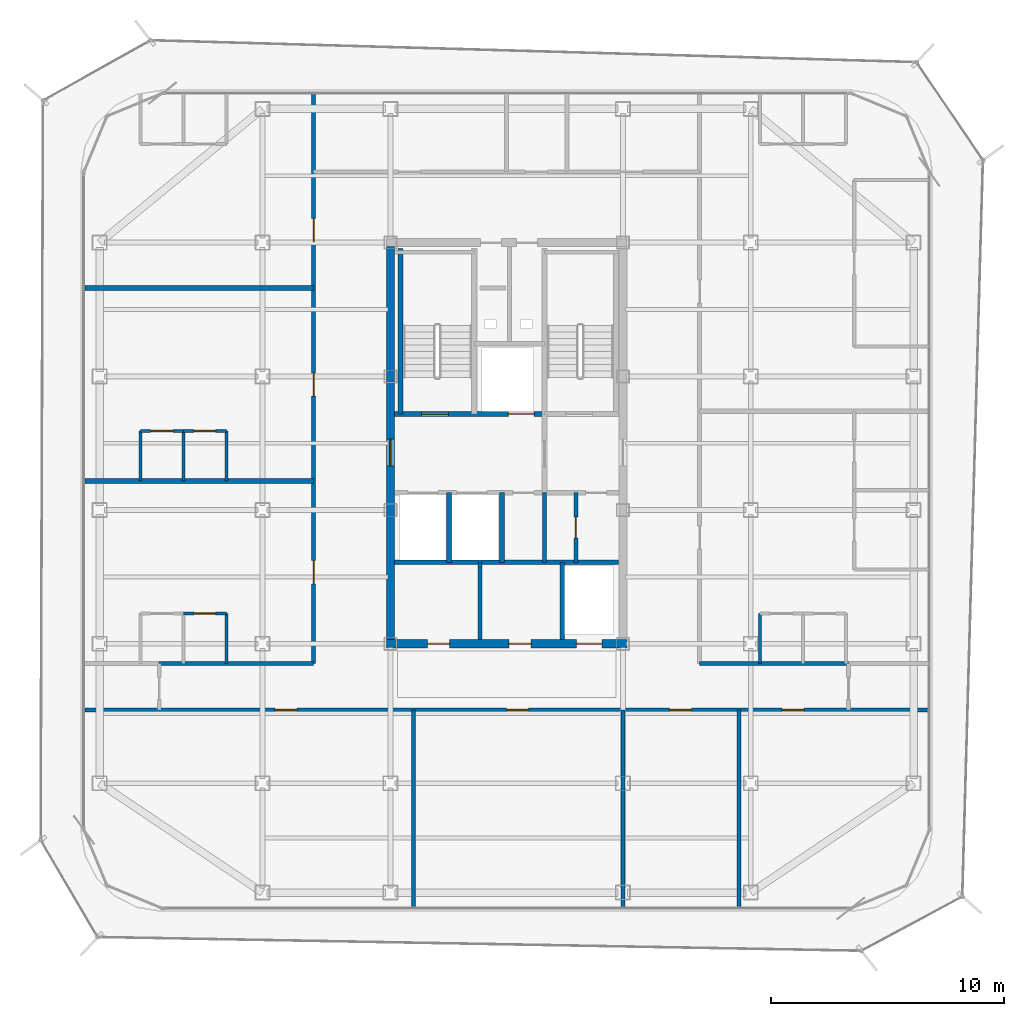
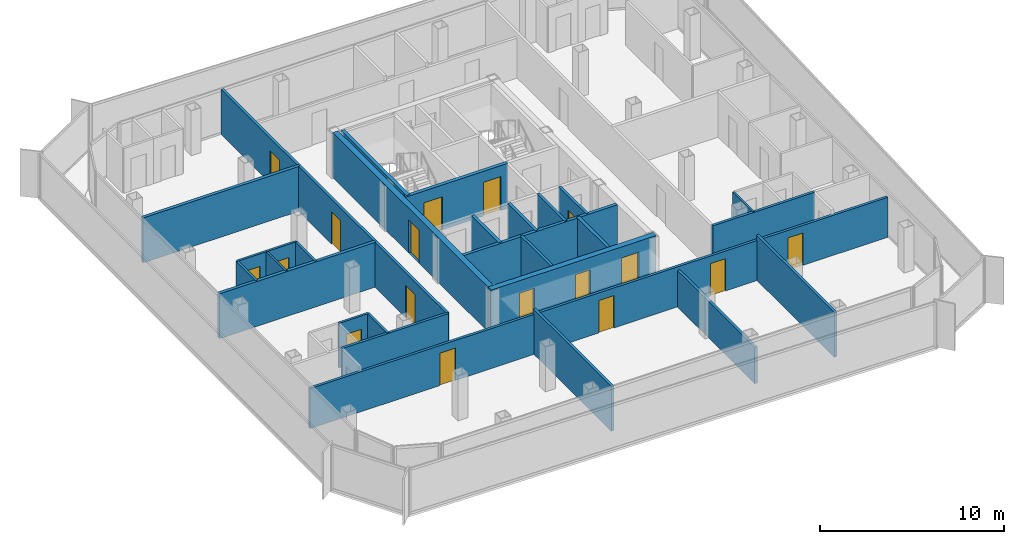
# One storey, part 10 of 14: 28 walls, 17 doors, 17 openings.
"""IFC4 building model written with IfcOpenShell, lengths in metres."""

import ifcopenshell
import ifcopenshell.guid

model = None  # the IFC model being written
_history = None  # IfcOwnerHistory: only IFC2X3 demands one
_inside = {}  # id of a spatial element -> (the spatial element, [elements in it])
_under = {}  # id of a project, library or spatial element -> (it, [spatial elements below it])
_declared = {}  # id of a project -> (the project, [libraries it declares])
_typed = {}  # id of a type object -> (the type object, [elements of that type])
_made_of = {}  # id of a material, layer set ... -> (it, [elements and type objects made of it])


def new_model(schema):
    """Start an empty IFC model of exactly this schema.

    Asked for "IFC4X3", IfcOpenShell would pick the latest addendum, in which some entities
    have other attributes; the version numbers below select the first issue.
    IFC2X3 requires an IfcOwnerHistory on every rooted entity: one is made here for all.
    """
    global model, _history
    if schema == "IFC4X3":
        model = ifcopenshell.file(schema_version=(4, 3, 0, 0))
    else:
        model = ifcopenshell.file(schema=schema)
    _inside.clear()
    _under.clear()
    _declared.clear()
    _typed.clear()
    _made_of.clear()
    _history = None
    if model.schema == "IFC2X3":
        org = make("IfcOrganization", Name="unknown")
        user = make(
            "IfcPersonAndOrganization",
            ThePerson=make("IfcPerson", FamilyName="unknown"),
            TheOrganization=org,
        )
        app = make(
            "IfcApplication",
            ApplicationDeveloper=org,
            Version="unknown",
            ApplicationFullName="unknown",
            ApplicationIdentifier="unknown",
        )
        _history = make(
            "IfcOwnerHistory",
            OwningUser=user,
            OwningApplication=app,
            ChangeAction="ADDED",
            CreationDate=0,
        )
    return model


def make(cls, **values):
    """One entity of the class cls with the attributes given. An attribute that is None is left unset."""
    return model.create_entity(
        cls, **{name: value for name, value in values.items() if value is not None}
    )


def rooted(cls, **values):
    """An entity with a GlobalId (a new one), such as an element, a storey or a relation."""
    return make(cls, GlobalId=ifcopenshell.guid.new(), OwnerHistory=_history, **values)


def si_unit(unit_type, name, prefix=None):
    """IfcSIUnit, for example si_unit("LENGTHUNIT", "METRE", prefix="MILLI")."""
    return make("IfcSIUnit", UnitType=unit_type, Prefix=prefix, Name=name)


def assignment(units):
    """IfcUnitAssignment: the units of a project."""
    return None if units is None else make("IfcUnitAssignment", Units=units)


def point(xyz):
    """IfcCartesianPoint."""
    return None if xyz is None else make("IfcCartesianPoint", Coordinates=xyz)


def direction(xyz):
    """IfcDirection."""
    return None if xyz is None else make("IfcDirection", DirectionRatios=xyz)


def frame(location, z_axis=None, x_axis=None):
    """IfcAxis2Placement3D, a coordinate frame: its origin and axes. An axis left out is left unset."""
    return make(
        "IfcAxis2Placement3D",
        Location=point(location),
        Axis=direction(z_axis),
        RefDirection=direction(x_axis),
    )


def frame_2d(location, x_axis=None):
    """IfcAxis2Placement2D, a coordinate frame in the plane: its origin and x axis."""
    return make(
        "IfcAxis2Placement2D", Location=point(location), RefDirection=direction(x_axis)
    )


def origin():
    """The frame at (0, 0, 0) with its axes left unset."""
    return frame((0.0, 0.0, 0.0))


def place(relative_to, where):
    """IfcLocalPlacement: puts the frame where relative to a parent placement (None: the world)."""
    return make(
        "IfcLocalPlacement", PlacementRelTo=relative_to, RelativePlacement=where
    )


def context(
    kind, dimensions, precision=None, world=None, true_north=None, identifier=None
):
    """IfcGeometricRepresentationContext, for example the 3D "Model" context."""
    return make(
        "IfcGeometricRepresentationContext",
        ContextIdentifier=identifier,
        ContextType=kind,
        CoordinateSpaceDimension=dimensions,
        Precision=precision,
        WorldCoordinateSystem=world,
        TrueNorth=true_north,
    )


def subcontext(parent, identifier, kind, view, scale=None):
    """IfcGeometricRepresentationSubContext, for example "Body" below "Model"."""
    return make(
        "IfcGeometricRepresentationSubContext",
        ContextIdentifier=identifier,
        ContextType=kind,
        ParentContext=parent,
        TargetScale=scale,
        TargetView=view,
    )


def project(units=None, contexts=None):
    """IfcProject with its units and contexts."""
    return rooted(
        "IfcProject",
        Name="project",
        RepresentationContexts=contexts,
        UnitsInContext=assignment(units),
    )


def spatial(cls, under=None, at=None, **own):
    """A site, building, storey or space (cls), placed at a placement, below another one or the project."""
    s = rooted(cls, ObjectPlacement=at, **own)
    if under is not None:
        _under.setdefault(under.id(), (under, []))[1].append(s)
    return s


def profile(cls, at=None, kind="AREA", **sizes):
    """A parametric profile (cls). Its sizes go by their IFC names, for example OverallWidth=200.0."""
    return make(cls, ProfileType=kind, Position=at, **sizes)


def rectangle(**sizes):
    """IfcRectangleProfileDef."""
    return profile("IfcRectangleProfileDef", **sizes)


def extrude(swept, where, along, depth):
    """IfcExtrudedAreaSolid: the profile swept, set in the frame where, extruded along a direction by depth."""
    return make(
        "IfcExtrudedAreaSolid",
        SweptArea=swept,
        Position=where,
        ExtrudedDirection=direction(along),
        Depth=depth,
    )


def shape(context_of_items, identifier, shape_type, items):
    """IfcShapeRepresentation: the items that make up one representation, for example the "Body"."""
    return make(
        "IfcShapeRepresentation",
        ContextOfItems=context_of_items,
        RepresentationIdentifier=identifier,
        RepresentationType=shape_type,
        Items=items,
    )


def material(Name=None, Category=None):
    """IfcMaterial."""
    return make("IfcMaterial", Name=Name, Category=Category)


def layer(
    of_material, thickness, ventilated=None, Name=None, Category=None, Priority=None
):
    """IfcMaterialLayer: one layer of a wall or slab, of a material (None: an air gap)."""
    return make(
        "IfcMaterialLayer",
        Material=of_material,
        LayerThickness=thickness,
        IsVentilated=ventilated,
        Name=Name,
        Category=Category,
        Priority=Priority,
    )


def layer_set(layers, Name=None):
    """IfcMaterialLayerSet."""
    return make("IfcMaterialLayerSet", MaterialLayers=layers, LayerSetName=Name)


def made_of(thing, what):
    """Note that an element or type object is made of a material, layer set ...; save() writes the relation."""
    if what is not None:
        _made_of.setdefault(what.id(), (what, []))[1].append(thing)
    return thing


def type_object(cls, material=None, **own):
    """A type object (cls), such as IfcWallType, which elements share."""
    return made_of(rooted(cls, **own), material)


def element(
    cls,
    number,
    at=None,
    inside=None,
    cuts=None,
    type_object=None,
    material=None,
    context=None,
    identifier="Body",
    shape_type=None,
    held_by="IfcProductDefinitionShape",
    body=None,
    shapes=None,
    **own,
):
    """One element of the class cls, such as IfcWall. Its Tag is "e" and its number.

    at: its placement. inside: the storey or other place that contains it. cuts: it is an
    opening in that element (IfcRelVoidsElement). A single representation is given by context,
    identifier, shape_type and body (its items); several are given by shapes. held_by: the class
    of the entity that holds the representations. save() writes the other relations.
    """
    e = rooted(cls, Tag="e%d" % number, ObjectPlacement=at, **own)
    if body is not None:
        shapes = [shape(context, identifier, shape_type, body)]
    if shapes is not None:
        e.Representation = make(held_by, Representations=shapes)
    if inside is not None:
        _inside.setdefault(inside.id(), (inside, []))[1].append(e)
    if cuts is not None:
        rooted(
            "IfcRelVoidsElement", RelatingBuildingElement=cuts, RelatedOpeningElement=e
        )
    if type_object is not None:
        _typed.setdefault(type_object.id(), (type_object, []))[1].append(e)
    return made_of(e, material)


def fill(opening, filler):
    """IfcRelFillsElement: the door or window that sits in an opening."""
    return rooted(
        "IfcRelFillsElement",
        RelatingOpeningElement=opening,
        RelatedBuildingElement=filler,
    )


def aggregate(whole, parts):
    """IfcRelAggregates: a whole, such as a stair, and the parts it consists of."""
    return rooted("IfcRelAggregates", RelatingObject=whole, RelatedObjects=parts)


def save(model, path):
    """Write the relations noted so far, then the file.

    IfcRelAggregates (storeys below a building ...), IfcRelContainedInSpatialStructure (elements
    in a storey), IfcRelDefinesByType, IfcRelAssociatesMaterial and IfcRelDeclares: one each for
    every whole, place, type object, material and project.
    """
    for whole, parts in _under.values():
        aggregate(whole, parts)
    for where, things in _inside.values():
        rooted(
            "IfcRelContainedInSpatialStructure",
            RelatedElements=things,
            RelatingStructure=where,
        )
    for kind, things in _typed.values():
        rooted("IfcRelDefinesByType", RelatedObjects=things, RelatingType=kind)
    for what, things in _made_of.values():
        rooted("IfcRelAssociatesMaterial", RelatedObjects=things, RelatingMaterial=what)
    for by, libraries in _declared.values():
        rooted("IfcRelDeclares", RelatingContext=by, RelatedDefinitions=libraries)
    model.write(path)


model = new_model("IFC4")

# Units and contexts
model_context = context("Model", 3, precision=1e-05, world=origin(), true_north=direction((0.0, 1.0)))
body_context = subcontext(model_context, "Body", "Model", "MODEL_VIEW")
ifc_project = project(units=[si_unit("LENGTHUNIT", "METRE"), si_unit("AREAUNIT", "SQUARE_METRE"), si_unit("VOLUMEUNIT", "CUBIC_METRE"), si_unit("PLANEANGLEUNIT", "RADIAN"), si_unit("MASSUNIT", "GRAM", prefix="KILO")], contexts=[model_context])

# Site, building, storey
site_placement = place(None, origin())
site = spatial("IfcSite", under=ifc_project, at=site_placement, CompositionType="ELEMENT")
building_placement = place(site_placement, origin())
building = spatial("IfcBuilding", under=site, at=building_placement, Name="Kolveth Station Tower", CompositionType="ELEMENT")
storey_placement = place(building_placement, frame((0.0, 0.0, 226.5)))
storey = spatial("IfcBuildingStorey", under=building, at=storey_placement, Name="L64", CompositionType="ELEMENT", Elevation=226.5)

# Wall, openings, doors
ifc_material_1 = material(Name="Concrete C50/60", Category="concrete")
ifc_layer_1 = layer(ifc_material_1, 0.35009765625)
ifc_layer_set_1 = layer_set([ifc_layer_1], Name="Concrete C50/60")
wall_type_1 = type_object("IfcWallType", Name="Wall_CW-350", PredefinedType="SHEAR", material=ifc_layer_set_1)
wall_1_placement = place(storey_placement, frame((18.324951171875, 11.5, 0.0), z_axis=(0.0, 0.0, 1.0), x_axis=(1.0, 0.0, 0.0)))
wall_1 = element("IfcWall", 1, at=wall_1_placement, inside=storey, type_object=wall_type_1, Name="L64 Core RC Shear Wall S", PredefinedType="SHEAR", context=body_context, shape_type="SweptSolid", body=[
    extrude(rectangle(XDim=10.35009765625, YDim=0.35009765625, at=frame_2d((5.175048828125, 0.0))), origin(), (0.0, 0.0, 1.0), 2.97998046875),
])
opening_1_placement = place(wall_1_placement, frame((1.77490234375, 0.0, 0.0)))
opening_1 = element("IfcOpeningElement", 2, at=opening_1_placement, cuts=wall_1, Name="Opening ID1", PredefinedType="OPENING", context=body_context, shape_type="SweptSolid", body=[
    extrude(rectangle(XDim=0.949951171875, YDim=2.14990234375, at=frame_2d((0.47509765625, 1.074951171875))), frame((0.0, 0.18505859375, 0.0), z_axis=(0.0, -1.0, 0.0), x_axis=(1.0, 0.0, 0.0)), (0.0, 0.0, 1.0), 0.3701171875),
])
opening_2_placement = place(wall_1_placement, frame((5.27490234375, 0.0, 0.0)))
opening_2 = element("IfcOpeningElement", 3, at=opening_2_placement, cuts=wall_1, Name="Opening ID1", PredefinedType="OPENING", context=body_context, shape_type="SweptSolid", body=[
    extrude(rectangle(XDim=0.949951171875, YDim=2.14990234375, at=frame_2d((0.47509765625, 1.074951171875))), frame((0.0, 0.18505859375, 0.0), z_axis=(0.0, -1.0, 0.0), x_axis=(1.0, 0.0, 0.0)), (0.0, 0.0, 1.0), 0.3701171875),
])
opening_3_placement = place(wall_1_placement, frame((8.175048828125, 0.0, 0.0)))
opening_3 = element("IfcOpeningElement", 4, at=opening_3_placement, cuts=wall_1, Name="Opening LD1", PredefinedType="OPENING", context=body_context, shape_type="SweptSolid", body=[
    extrude(rectangle(XDim=1.10009765625, YDim=2.25, at=frame_2d((0.550048828125, 1.125))), frame((0.0, 0.18505859375, 0.0), z_axis=(0.0, -1.0, 0.0), x_axis=(1.0, 0.0, 0.0)), (0.0, 0.0, 1.0), 0.3701171875),
])
ifc_material_2 = material(Name="Acoustic hardwood leaf and aluminium frame", Category="wood")
door_type_1 = type_object("IfcDoorType", Name="Door_ID1", OperationType="NOTDEFINED", PredefinedType="DOOR", material=ifc_material_2)
door_1_placement = place(opening_1_placement, frame((0.949951171875, 0.0, 0.0), z_axis=(0.0, 0.0, 1.0), x_axis=(-1.0, 0.0, 0.0)))
door_1 = element("IfcDoor", 5, at=door_1_placement, inside=storey, type_object=door_type_1, Name="L64 Laundry Room Door", OperationType="SINGLE_SWING_RIGHT", OverallHeight=2.14990234375, OverallWidth=0.949951171875, PredefinedType="DOOR", context=body_context, shape_type="SweptSolid", body=[
    extrude(rectangle(XDim=0.949951171875, YDim=2.14990234375, at=frame_2d((0.47509765625, 1.074951171875))), frame((0.0, 0.02490234375, 0.0), z_axis=(0.0, -1.0, 0.0), x_axis=(1.0, 0.0, 0.0)), (0.0, 0.0, 1.0), 0.050048828125),
])
fill(opening_1, door_1)
door_2_placement = place(opening_2_placement, frame((0.949951171875, 0.0, 0.0), z_axis=(0.0, 0.0, 1.0), x_axis=(-1.0, 0.0, 0.0)))
door_2 = element("IfcDoor", 6, at=door_2_placement, inside=storey, type_object=door_type_1, Name="L64 Parcel Room Door", OperationType="SINGLE_SWING_LEFT", OverallHeight=2.14990234375, OverallWidth=0.949951171875, PredefinedType="DOOR", context=body_context, shape_type="SweptSolid", body=[
    extrude(rectangle(XDim=0.949951171875, YDim=2.14990234375, at=frame_2d((0.47509765625, 1.074951171875))), frame((0.0, 0.02490234375, 0.0), z_axis=(0.0, -1.0, 0.0), x_axis=(1.0, 0.0, 0.0)), (0.0, 0.0, 1.0), 0.050048828125),
])
fill(opening_2, door_2)
ifc_material_3 = material(Name="Brushed stainless steel sliding landing doors", Category="steel")
door_type_2 = type_object("IfcDoorType", Name="Door_LD1", OperationType="NOTDEFINED", PredefinedType="DOOR", material=ifc_material_3)
door_3_placement = place(opening_3_placement, frame((1.10009765625, 0.0, 0.0), z_axis=(0.0, 0.0, 1.0), x_axis=(-1.0, 0.0, 0.0)))
door_3 = element("IfcDoor", 7, at=door_3_placement, inside=storey, type_object=door_type_2, Name="L64 Lift PH1 Landing Door", OperationType="DOUBLE_DOOR_SLIDING", OverallHeight=2.25, OverallWidth=1.10009765625, PredefinedType="DOOR", context=body_context, shape_type="SweptSolid", body=[
    extrude(rectangle(XDim=1.10009765625, YDim=2.25, at=frame_2d((0.550048828125, 1.125))), frame((0.0, 0.02490234375, 0.0), z_axis=(0.0, -1.0, 0.0), x_axis=(1.0, 0.0, 0.0)), (0.0, 0.0, 1.0), 0.050048828125),
])
fill(opening_3, door_3)

# Wall, opening, door
wall_2_placement = place(storey_placement, frame((18.5, 11.675048828125, 0.0), z_axis=(0.0, 0.0, 1.0), x_axis=(0.0, 1.0, 0.0)))
wall_2 = element("IfcWall", 8, at=wall_2_placement, inside=storey, type_object=wall_type_1, Name="L64 Core RC Shear Wall W", PredefinedType="SHEAR", context=body_context, shape_type="SweptSolid", body=[
    extrude(rectangle(XDim=16.89990234375, YDim=0.35009765625, at=frame_2d((8.449951171875, 0.0))), origin(), (0.0, 0.0, 1.0), 2.97998046875),
])
opening_4_placement = place(wall_2_placement, frame((7.47509765625, 0.0, 0.0)))
opening_4 = element("IfcOpeningElement", 9, at=opening_4_placement, cuts=wall_2, Name="Opening FD1", PredefinedType="OPENING", context=body_context, shape_type="SweptSolid", body=[
    extrude(rectangle(XDim=1.14990234375, YDim=2.199951171875, at=frame_2d((0.574951171875, 1.10009765625))), frame((0.0, 0.18505859375, 0.0), z_axis=(0.0, -1.0, 0.0), x_axis=(1.0, 0.0, 0.0)), (0.0, 0.0, 1.0), 0.3701171875),
])
ifc_material_4 = material(Name="Fire-rated Steel S355 leaf and frame", Category="steel")
door_type_3 = type_object("IfcDoorType", Name="Door_FD1", OperationType="NOTDEFINED", PredefinedType="DOOR", material=ifc_material_4)
door_4_placement = place(opening_4_placement, frame((1.14990234375, 0.0, 0.0), z_axis=(0.0, 0.0, 1.0), x_axis=(-1.0, 0.0, 0.0)))
door_4 = element("IfcDoor", 10, at=door_4_placement, inside=storey, type_object=door_type_3, Name="L64 West Corridor to Firefighting Lobby Door", OperationType="SINGLE_SWING_RIGHT", OverallHeight=2.199951171875, OverallWidth=1.14990234375, PredefinedType="DOOR", context=body_context, shape_type="SweptSolid", body=[
    extrude(rectangle(XDim=1.14990234375, YDim=2.199951171875, at=frame_2d((0.574951171875, 1.10009765625))), frame((0.0, 0.02490234375, 0.0), z_axis=(0.0, -1.0, 0.0), x_axis=(1.0, 0.0, 0.0)), (0.0, 0.0, 1.0), 0.050048828125),
])
fill(opening_4, door_4)

ifc_material_5 = material(Name="Moisture-resistant gypsum partition")
ifc_layer_2 = layer(ifc_material_5, 0.135009765625)
ifc_layer_set_2 = layer_set([ifc_layer_2], Name="Moisture-resistant gypsum partition")
wall_type_2 = type_object("IfcWallType", Name="Wall_IW-135", PredefinedType="PARTITIONING", material=ifc_layer_set_2)
wall_3_placement = place(storey_placement, frame((9.60009765625, 12.800048828125, 0.0), z_axis=(0.0, 0.0, 1.0), x_axis=(1.0, 0.0, 0.0)))
wall_3 = element("IfcWall", 11, at=wall_3_placement, inside=storey, type_object=wall_type_2, Name="L64 Partition Wall WL-L64-W1-IBHB", PredefinedType="PARTITIONING", context=body_context, shape_type="SweptSolid", body=[
    extrude(rectangle(XDim=1.849853515625, YDim=0.135009765625, at=frame_2d((0.9248046875, 0.0))), origin(), (0.0, 0.0, 1.0), 2.97998046875),
])
opening_5_placement = place(wall_3_placement, frame((0.465087890625, 0.0, 0.0)))
opening_5 = element("IfcOpeningElement", 12, at=opening_5_placement, cuts=wall_3, Name="Opening ID2", PredefinedType="OPENING", context=body_context, shape_type="SweptSolid", body=[
    extrude(rectangle(XDim=0.919921875, YDim=2.10009765625, at=frame_2d((0.4599609375, 1.050048828125))), frame((0.0, 0.077392578125, 0.0), z_axis=(0.0, -1.0, 0.0), x_axis=(1.0, 0.0, 0.0)), (0.0, 0.0, 1.0), 0.155029296875),
])
ifc_material_6 = material(Name="Moisture-resistant hardwood leaf", Category="wood")
door_type_4 = type_object("IfcDoorType", Name="Door_ID2", OperationType="NOTDEFINED", PredefinedType="DOOR", material=ifc_material_6)
door_5_placement = place(opening_5_placement, origin())
door_5 = element("IfcDoor", 13, at=door_5_placement, inside=storey, type_object=door_type_4, Name="Flat L64-W1 Bathroom Door", OperationType="SINGLE_SWING_LEFT", OverallHeight=2.10009765625, OverallWidth=0.919921875, PredefinedType="DOOR", context=body_context, shape_type="SweptSolid", body=[
    extrude(rectangle(XDim=0.919921875, YDim=2.10009765625, at=frame_2d((0.4599609375, 1.050048828125))), frame((0.0, 0.02490234375, 0.0), z_axis=(0.0, -1.0, 0.0), x_axis=(1.0, 0.0, 0.0)), (0.0, 0.0, 1.0), 0.050048828125),
])
fill(opening_5, door_5)

# Wall
wall_4_placement = place(storey_placement, frame((11.449951171875, 10.64990234375, 0.0), z_axis=(0.0, 0.0, 1.0), x_axis=(0.0, 1.0, 0.0)))
element("IfcWall", 14, at=wall_4_placement, inside=storey, type_object=wall_type_2, Name="L64 Partition Wall WL-L64-W1-IBV2", PredefinedType="PARTITIONING", context=body_context, shape_type="SweptSolid", body=[
    extrude(rectangle(XDim=2.150146484375, YDim=0.135009765625, at=frame_2d((1.0751953125, 0.0))), origin(), (0.0, 0.0, 1.0), 2.97998046875),
])

# Wall, opening, door
wall_5_placement = place(storey_placement, frame((7.75, 20.64990234375, 0.0), z_axis=(0.0, 0.0, 1.0), x_axis=(1.0, 0.0, 0.0)))
wall_5 = element("IfcWall", 15, at=wall_5_placement, inside=storey, type_object=wall_type_2, Name="L64 Partition Wall WL-L64-W2-IBHK", PredefinedType="PARTITIONING", context=body_context, shape_type="SweptSolid", body=[
    extrude(rectangle(XDim=1.85009765625, YDim=0.135009765625, at=frame_2d((0.925048828125, 0.0))), origin(), (0.0, 0.0, 1.0), 2.97998046875),
])
opening_6_placement = place(wall_5_placement, frame((0.445068359375, 0.0, 0.0)))
opening_6 = element("IfcOpeningElement", 16, at=opening_6_placement, cuts=wall_5, Name="Opening ID1", PredefinedType="OPENING", context=body_context, shape_type="SweptSolid", body=[
    extrude(rectangle(XDim=0.949951171875, YDim=2.14990234375, at=frame_2d((0.47509765625, 1.074951171875))), frame((0.0, 0.077392578125, 0.0), z_axis=(0.0, -1.0, 0.0), x_axis=(1.0, 0.0, 0.0)), (0.0, 0.0, 1.0), 0.155029296875),
])
door_6_placement = place(opening_6_placement, origin())
door_6 = element("IfcDoor", 17, at=door_6_placement, inside=storey, type_object=door_type_1, Name="Flat L64-W2 Kitchen Door", OperationType="SINGLE_SWING_LEFT", OverallHeight=2.14990234375, OverallWidth=0.949951171875, PredefinedType="DOOR", context=body_context, shape_type="SweptSolid", body=[
    extrude(rectangle(XDim=0.949951171875, YDim=2.14990234375, at=frame_2d((0.47509765625, 1.074951171875))), frame((0.0, 0.02490234375, 0.0), z_axis=(0.0, -1.0, 0.0), x_axis=(1.0, 0.0, 0.0)), (0.0, 0.0, 1.0), 0.050048828125),
])
fill(opening_6, door_6)

wall_6_placement = place(storey_placement, frame((9.60009765625, 20.64990234375, 0.0), z_axis=(0.0, 0.0, 1.0), x_axis=(1.0, 0.0, 0.0)))
wall_6 = element("IfcWall", 18, at=wall_6_placement, inside=storey, type_object=wall_type_2, Name="L64 Partition Wall WL-L64-W2-IBHB", PredefinedType="PARTITIONING", context=body_context, shape_type="SweptSolid", body=[
    extrude(rectangle(XDim=1.849853515625, YDim=0.135009765625, at=frame_2d((0.9248046875, 0.0))), origin(), (0.0, 0.0, 1.0), 2.97998046875),
])
opening_7_placement = place(wall_6_placement, frame((0.465087890625, 0.0, 0.0)))
opening_7 = element("IfcOpeningElement", 19, at=opening_7_placement, cuts=wall_6, Name="Opening ID2", PredefinedType="OPENING", context=body_context, shape_type="SweptSolid", body=[
    extrude(rectangle(XDim=0.919921875, YDim=2.10009765625, at=frame_2d((0.4599609375, 1.050048828125))), frame((0.0, 0.077392578125, 0.0), z_axis=(0.0, -1.0, 0.0), x_axis=(1.0, 0.0, 0.0)), (0.0, 0.0, 1.0), 0.155029296875),
])
door_7_placement = place(opening_7_placement, origin())
door_7 = element("IfcDoor", 20, at=door_7_placement, inside=storey, type_object=door_type_4, Name="Flat L64-W2 Bathroom Door", OperationType="SINGLE_SWING_RIGHT", OverallHeight=2.10009765625, OverallWidth=0.919921875, PredefinedType="DOOR", context=body_context, shape_type="SweptSolid", body=[
    extrude(rectangle(XDim=0.919921875, YDim=2.10009765625, at=frame_2d((0.4599609375, 1.050048828125))), frame((0.0, 0.02490234375, 0.0), z_axis=(0.0, -1.0, 0.0), x_axis=(1.0, 0.0, 0.0)), (0.0, 0.0, 1.0), 0.050048828125),
])
fill(opening_7, door_7)

# Walls
for number, where, z_axis, x_axis, name in (
    (21, (7.75, 18.5, 0.0), (0.0, 0.0, 1.0), (0.0, 1.0, 0.0), "L64 Partition Wall WL-L64-W2-IBV0"),
    (22, (9.60009765625, 18.5, 0.0), (0.0, 0.0, 1.0), (0.0, 1.0, 0.0), "L64 Partition Wall WL-L64-W2-IBV1"),
    (23, (11.449951171875, 18.5, 0.0), (0.0, 0.0, 1.0), (0.0, 1.0, 0.0), "L64 Partition Wall WL-L64-W2-IBV2"),
):
    element("IfcWall", number, at=place(storey_placement, frame(where, z_axis=z_axis, x_axis=x_axis)), inside=storey, type_object=wall_type_2, Name=name, PredefinedType="PARTITIONING", context=body_context, shape_type="SweptSolid", body=[
        extrude(rectangle(XDim=2.14990234375, YDim=0.135009765625, at=frame_2d((1.074951171875, 0.0))), origin(), (0.0, 0.0, 1.0), 2.97998046875),
    ])
wall_7_placement = place(storey_placement, frame((34.39990234375, 10.64990234375, 0.0), z_axis=(0.0, 0.0, 1.0), x_axis=(0.0, 1.0, 0.0)))
element("IfcWall", 24, at=wall_7_placement, inside=storey, type_object=wall_type_2, Name="L64 Partition Wall WL-L64-E1-IBV0", PredefinedType="PARTITIONING", context=body_context, shape_type="SweptSolid", body=[
    extrude(rectangle(XDim=2.150146484375, YDim=0.135009765625, at=frame_2d((1.0751953125, 0.0))), origin(), (0.0, 0.0, 1.0), 2.97998046875),
])
ifc_material_7 = material(Name="Acoustic double-stud gypsum partition")
ifc_layer_3 = layer(ifc_material_7, 0.1650390625)
ifc_layer_set_3 = layer_set([ifc_layer_3], Name="Acoustic double-stud gypsum partition")
wall_type_3 = type_object("IfcWallType", Name="Wall_IW-165", PredefinedType="PARTITIONING", material=ifc_layer_set_3)
wall_8_placement = place(storey_placement, frame((25.1298828125, 15.0, 0.0), z_axis=(0.0, 0.0, 1.0), x_axis=(0.0, 1.0, 0.0)))
element("IfcWall", 25, at=wall_8_placement, inside=storey, type_object=wall_type_3, Name="L64 Partition Wall WL-L64-CB-V3A", PredefinedType="PARTITIONING", context=body_context, shape_type="SweptSolid", body=[
    extrude(rectangle(XDim=3.0, YDim=0.1650390625, at=frame_2d((1.5, 0.0))), origin(), (0.0, 0.0, 1.0), 2.97998046875),
])

# Wall, opening, door
wall_9_placement = place(storey_placement, frame((26.47998046875, 15.0, 0.0), z_axis=(0.0, 0.0, 1.0), x_axis=(0.0, 1.0, 0.0)))
wall_9 = element("IfcWall", 26, at=wall_9_placement, inside=storey, type_object=wall_type_3, Name="L64 Partition Wall WL-L64-CB-V3B", PredefinedType="PARTITIONING", context=body_context, shape_type="SweptSolid", body=[
    extrude(rectangle(XDim=3.0, YDim=0.1650390625, at=frame_2d((1.5, 0.0))), origin(), (0.0, 0.0, 1.0), 2.97998046875),
])
opening_8_placement = place(wall_9_placement, frame((1.050048828125, 0.0, 0.0)))
opening_8 = element("IfcOpeningElement", 27, at=opening_8_placement, cuts=wall_9, Name="Opening RD1", PredefinedType="OPENING", context=body_context, shape_type="SweptSolid", body=[
    extrude(rectangle(XDim=0.89990234375, YDim=2.050048828125, at=frame_2d((0.449951171875, 1.02490234375))), frame((0.0, 0.092529296875, 0.0), z_axis=(0.0, -1.0, 0.0), x_axis=(1.0, 0.0, 0.0)), (0.0, 0.0, 1.0), 0.18505859375),
])
ifc_material_8 = material(Name="Fire-rated Steel S355 riser access leaf", Category="steel")
door_type_5 = type_object("IfcDoorType", Name="Door_RD1", OperationType="NOTDEFINED", PredefinedType="DOOR", material=ifc_material_8)
door_8_placement = place(opening_8_placement, origin())
door_8 = element("IfcDoor", 28, at=door_8_placement, inside=storey, type_object=door_type_5, Name="L64 Core Meter Closet Door", OperationType="SINGLE_SWING_LEFT", OverallHeight=2.050048828125, OverallWidth=0.89990234375, PredefinedType="DOOR", context=body_context, shape_type="SweptSolid", body=[
    extrude(rectangle(XDim=0.89990234375, YDim=2.050048828125, at=frame_2d((0.449951171875, 1.02490234375))), frame((0.0, 0.02490234375, 0.0), z_axis=(0.0, -1.0, 0.0), x_axis=(1.0, 0.0, 0.0)), (0.0, 0.0, 1.0), 0.050048828125),
])
fill(opening_8, door_8)

# Wall
wall_10_placement = place(storey_placement, frame((22.35009765625, 11.68505859375, 0.0), z_axis=(0.0, 0.0, 1.0), x_axis=(0.0, 1.0, 0.0)))
element("IfcWall", 29, at=wall_10_placement, inside=storey, type_object=wall_type_3, Name="L64 Partition Wall WL-L64-FR-M", PredefinedType="PARTITIONING", context=body_context, shape_type="SweptSolid", body=[
    extrude(rectangle(XDim=3.31494140625, YDim=0.1650390625, at=frame_2d((1.657470703125, 0.0))), origin(), (0.0, 0.0, 1.0), 2.97998046875),
])

# Wall, openings, doors
wall_11_placement = place(storey_placement, frame((5.360107421875, 8.64990234375, 0.0), z_axis=(0.0, 0.0, 1.0), x_axis=(1.0, 0.0, 0.0)))
wall_11 = element("IfcWall", 30, at=wall_11_placement, inside=storey, type_object=wall_type_3, Name="L64 Partition Wall WL-L64-RS", PredefinedType="PARTITIONING", context=body_context, shape_type="SweptSolid", body=[
    extrude(rectangle(XDim=36.27978515625, YDim=0.1650390625, at=frame_2d((18.139892578125, 0.0))), origin(), (0.0, 0.0, 1.0), 2.655029296875),
])
opening_9_placement = place(wall_11_placement, frame((8.169921875, 0.0, 0.0)))
opening_9 = element("IfcOpeningElement", 31, at=opening_9_placement, cuts=wall_11, Name="Opening ID1", PredefinedType="OPENING", context=body_context, shape_type="SweptSolid", body=[
    extrude(rectangle(XDim=0.949951171875, YDim=2.14990234375, at=frame_2d((0.47509765625, 1.074951171875))), frame((0.0, 0.092529296875, 0.0), z_axis=(0.0, -1.0, 0.0), x_axis=(1.0, 0.0, 0.0)), (0.0, 0.0, 1.0), 0.18505859375),
])
opening_10_placement = place(wall_11_placement, frame((18.139892578125, 0.0, 0.0)))
opening_10 = element("IfcOpeningElement", 32, at=opening_10_placement, cuts=wall_11, Name="Opening ID1", PredefinedType="OPENING", context=body_context, shape_type="SweptSolid", body=[
    extrude(rectangle(XDim=0.949951171875, YDim=2.14990234375, at=frame_2d((0.47509765625, 1.074951171875))), frame((0.0, 0.092529296875, 0.0), z_axis=(0.0, -1.0, 0.0), x_axis=(1.0, 0.0, 0.0)), (0.0, 0.0, 1.0), 0.18505859375),
])
opening_11_placement = place(wall_11_placement, frame((25.139892578125, 0.0, 0.0)))
opening_11 = element("IfcOpeningElement", 33, at=opening_11_placement, cuts=wall_11, Name="Opening ID1", PredefinedType="OPENING", context=body_context, shape_type="SweptSolid", body=[
    extrude(rectangle(XDim=0.949951171875, YDim=2.14990234375, at=frame_2d((0.47509765625, 1.074951171875))), frame((0.0, 0.092529296875, 0.0), z_axis=(0.0, -1.0, 0.0), x_axis=(1.0, 0.0, 0.0)), (0.0, 0.0, 1.0), 0.18505859375),
])
opening_12_placement = place(wall_11_placement, frame((29.989990234375, 0.0, 0.0)))
opening_12 = element("IfcOpeningElement", 34, at=opening_12_placement, cuts=wall_11, Name="Opening ID1", PredefinedType="OPENING", context=body_context, shape_type="SweptSolid", body=[
    extrude(rectangle(XDim=0.949951171875, YDim=2.14990234375, at=frame_2d((0.47509765625, 1.074951171875))), frame((0.0, 0.092529296875, 0.0), z_axis=(0.0, -1.0, 0.0), x_axis=(1.0, 0.0, 0.0)), (0.0, 0.0, 1.0), 0.18505859375),
])
door_9_placement = place(opening_9_placement, frame((0.949951171875, 0.0, 0.0), z_axis=(0.0, 0.0, 1.0), x_axis=(-1.0, 0.0, 0.0)))
door_9 = element("IfcDoor", 35, at=door_9_placement, inside=storey, type_object=door_type_1, Name="L64 Residents' Fitness Gymnasium Door", OperationType="SINGLE_SWING_RIGHT", OverallHeight=2.14990234375, OverallWidth=0.949951171875, PredefinedType="DOOR", context=body_context, shape_type="SweptSolid", body=[
    extrude(rectangle(XDim=0.949951171875, YDim=2.14990234375, at=frame_2d((0.47509765625, 1.074951171875))), frame((0.0, 0.02490234375, 0.0), z_axis=(0.0, -1.0, 0.0), x_axis=(1.0, 0.0, 0.0)), (0.0, 0.0, 1.0), 0.050048828125),
])
fill(opening_9, door_9)
door_10_placement = place(opening_10_placement, frame((0.949951171875, 0.0, 0.0), z_axis=(0.0, 0.0, 1.0), x_axis=(-1.0, 0.0, 0.0)))
door_10 = element("IfcDoor", 36, at=door_10_placement, inside=storey, type_object=door_type_1, Name="L64 Residents' Reading Library Door", OperationType="SINGLE_SWING_LEFT", OverallHeight=2.14990234375, OverallWidth=0.949951171875, PredefinedType="DOOR", context=body_context, shape_type="SweptSolid", body=[
    extrude(rectangle(XDim=0.949951171875, YDim=2.14990234375, at=frame_2d((0.47509765625, 1.074951171875))), frame((0.0, 0.02490234375, 0.0), z_axis=(0.0, -1.0, 0.0), x_axis=(1.0, 0.0, 0.0)), (0.0, 0.0, 1.0), 0.050048828125),
])
fill(opening_10, door_10)
door_11_placement = place(opening_11_placement, frame((0.949951171875, 0.0, 0.0), z_axis=(0.0, 0.0, 1.0), x_axis=(-1.0, 0.0, 0.0)))
door_11 = element("IfcDoor", 37, at=door_11_placement, inside=storey, type_object=door_type_1, Name="L64 Residents' Pantry Door", OperationType="SINGLE_SWING_LEFT", OverallHeight=2.14990234375, OverallWidth=0.949951171875, PredefinedType="DOOR", context=body_context, shape_type="SweptSolid", body=[
    extrude(rectangle(XDim=0.949951171875, YDim=2.14990234375, at=frame_2d((0.47509765625, 1.074951171875))), frame((0.0, 0.02490234375, 0.0), z_axis=(0.0, -1.0, 0.0), x_axis=(1.0, 0.0, 0.0)), (0.0, 0.0, 1.0), 0.050048828125),
])
fill(opening_11, door_11)
door_12_placement = place(opening_12_placement, frame((0.949951171875, 0.0, 0.0), z_axis=(0.0, 0.0, 1.0), x_axis=(-1.0, 0.0, 0.0)))
door_12 = element("IfcDoor", 38, at=door_12_placement, inside=storey, type_object=door_type_1, Name="L64 Residents' Lounge Door", OperationType="SINGLE_SWING_LEFT", OverallHeight=2.14990234375, OverallWidth=0.949951171875, PredefinedType="DOOR", context=body_context, shape_type="SweptSolid", body=[
    extrude(rectangle(XDim=0.949951171875, YDim=2.14990234375, at=frame_2d((0.47509765625, 1.074951171875))), frame((0.0, 0.02490234375, 0.0), z_axis=(0.0, -1.0, 0.0), x_axis=(1.0, 0.0, 0.0)), (0.0, 0.0, 1.0), 0.050048828125),
])
fill(opening_12, door_12)

# Walls
wall_12_placement = place(storey_placement, frame((8.56005859375, 10.64990234375, 0.0), z_axis=(0.0, 0.0, 1.0), x_axis=(1.0, 0.0, 0.0)))
element("IfcWall", 39, at=wall_12_placement, inside=storey, type_object=wall_type_3, Name="L64 Partition Wall WL-L64-RSWT", PredefinedType="PARTITIONING", context=body_context, shape_type="SweptSolid", body=[
    extrude(rectangle(XDim=6.639892578125, YDim=0.1650390625, at=frame_2d((3.31982421875, 0.0))), origin(), (0.0, 0.0, 1.0), 2.97998046875),
])
wall_13_placement = place(storey_placement, frame((31.800048828125, 10.64990234375, 0.0), z_axis=(0.0, 0.0, 1.0), x_axis=(1.0, 0.0, 0.0)))
element("IfcWall", 40, at=wall_13_placement, inside=storey, type_object=wall_type_3, Name="L64 Partition Wall WL-L64-RSET", PredefinedType="PARTITIONING", context=body_context, shape_type="SweptSolid", body=[
    extrude(rectangle(XDim=6.39990234375, YDim=0.1650390625, at=frame_2d((3.199951171875, 0.0))), origin(), (0.0, 0.0, 1.0), 2.97998046875),
])

# Wall, openings, doors
wall_14_placement = place(storey_placement, frame((15.199951171875, 10.64990234375, 0.0), z_axis=(0.0, 0.0, 1.0), x_axis=(0.0, 1.0, 0.0)))
wall_14 = element("IfcWall", 41, at=wall_14_placement, inside=storey, type_object=wall_type_3, Name="L64 Partition Wall WL-L64-RW", PredefinedType="PARTITIONING", context=body_context, shape_type="SweptSolid", body=[
    extrude(rectangle(XDim=24.489990234375, YDim=0.1650390625, at=frame_2d((12.2451171875, 0.0))), origin(), (0.0, 0.0, 1.0), 2.97998046875),
])
opening_13_placement = place(wall_14_placement, frame((3.425048828125, 0.0, 0.0)))
opening_13 = element("IfcOpeningElement", 42, at=opening_13_placement, cuts=wall_14, Name="Opening FD3", PredefinedType="OPENING", context=body_context, shape_type="SweptSolid", body=[
    extrude(rectangle(XDim=1.0, YDim=2.14990234375, at=frame_2d((0.5, 1.074951171875))), frame((0.0, 0.092529296875, 0.0), z_axis=(0.0, -1.0, 0.0), x_axis=(1.0, 0.0, 0.0)), (0.0, 0.0, 1.0), 0.18505859375),
])
opening_14_placement = place(wall_14_placement, frame((11.5, 0.0, 0.0)))
opening_14 = element("IfcOpeningElement", 43, at=opening_14_placement, cuts=wall_14, Name="Opening FD3", PredefinedType="OPENING", context=body_context, shape_type="SweptSolid", body=[
    extrude(rectangle(XDim=1.0, YDim=2.14990234375, at=frame_2d((0.5, 1.074951171875))), frame((0.0, 0.092529296875, 0.0), z_axis=(0.0, -1.0, 0.0), x_axis=(1.0, 0.0, 0.0)), (0.0, 0.0, 1.0), 0.18505859375),
])
opening_15_placement = place(wall_14_placement, frame((18.14990234375, 0.0, 0.0)))
opening_15 = element("IfcOpeningElement", 44, at=opening_15_placement, cuts=wall_14, Name="Opening FD3", PredefinedType="OPENING", context=body_context, shape_type="SweptSolid", body=[
    extrude(rectangle(XDim=1.0, YDim=2.14990234375, at=frame_2d((0.5, 1.074951171875))), frame((0.0, 0.092529296875, 0.0), z_axis=(0.0, -1.0, 0.0), x_axis=(1.0, 0.0, 0.0)), (0.0, 0.0, 1.0), 0.18505859375),
])
ifc_material_9 = material(Name="Fire-rated hardwood leaf and aluminium frame", Category="wood")
door_type_6 = type_object("IfcDoorType", Name="Door_FD3", OperationType="NOTDEFINED", PredefinedType="DOOR", material=ifc_material_9)
door_13_placement = place(opening_13_placement, origin())
door_13 = element("IfcDoor", 45, at=door_13_placement, inside=storey, type_object=door_type_6, Name="Flat L64-W1 Entrance Door", OperationType="SINGLE_SWING_RIGHT", OverallHeight=2.14990234375, OverallWidth=1.0, PredefinedType="DOOR", context=body_context, shape_type="SweptSolid", body=[
    extrude(rectangle(XDim=1.0, YDim=2.14990234375, at=frame_2d((0.5, 1.074951171875))), frame((0.0, 0.02490234375, 0.0), z_axis=(0.0, -1.0, 0.0), x_axis=(1.0, 0.0, 0.0)), (0.0, 0.0, 1.0), 0.050048828125),
])
fill(opening_13, door_13)
door_14_placement = place(opening_14_placement, origin())
door_14 = element("IfcDoor", 46, at=door_14_placement, inside=storey, type_object=door_type_6, Name="Flat L64-W2 Entrance Door", OperationType="SINGLE_SWING_LEFT", OverallHeight=2.14990234375, OverallWidth=1.0, PredefinedType="DOOR", context=body_context, shape_type="SweptSolid", body=[
    extrude(rectangle(XDim=1.0, YDim=2.14990234375, at=frame_2d((0.5, 1.074951171875))), frame((0.0, 0.02490234375, 0.0), z_axis=(0.0, -1.0, 0.0), x_axis=(1.0, 0.0, 0.0)), (0.0, 0.0, 1.0), 0.050048828125),
])
fill(opening_14, door_14)
door_15_placement = place(opening_15_placement, origin())
door_15 = element("IfcDoor", 47, at=door_15_placement, inside=storey, type_object=door_type_6, Name="Flat L64-W3 Entrance Door", OperationType="SINGLE_SWING_RIGHT", OverallHeight=2.14990234375, OverallWidth=1.0, PredefinedType="DOOR", context=body_context, shape_type="SweptSolid", body=[
    extrude(rectangle(XDim=1.0, YDim=2.14990234375, at=frame_2d((0.5, 1.074951171875))), frame((0.0, 0.02490234375, 0.0), z_axis=(0.0, -1.0, 0.0), x_axis=(1.0, 0.0, 0.0)), (0.0, 0.0, 1.0), 0.050048828125),
])
fill(opening_15, door_15)

# Walls
wall_15_placement = place(storey_placement, frame((19.5, 0.159912109375, 0.0), z_axis=(0.0, 0.0, 1.0), x_axis=(0.0, 1.0, 0.0)))
element("IfcWall", 48, at=wall_15_placement, inside=storey, type_object=wall_type_3, Name="L64 Partition Wall WL-L64-RSA-P1", PredefinedType="PARTITIONING", context=body_context, shape_type="SweptSolid", body=[
    extrude(rectangle(XDim=8.489990234375, YDim=0.1650390625, at=frame_2d((4.2451171875, 0.0))), origin(), (0.0, 0.0, 1.0), 2.97998046875),
])
wall_16_placement = place(storey_placement, frame((28.5, 0.159912109375, 0.0), z_axis=(0.0, 0.0, 1.0), x_axis=(0.0, 1.0, 0.0)))
element("IfcWall", 49, at=wall_16_placement, inside=storey, type_object=wall_type_3, Name="L64 Partition Wall WL-L64-RSA-P2", PredefinedType="PARTITIONING", context=body_context, shape_type="SweptSolid", body=[
    extrude(rectangle(XDim=8.489990234375, YDim=0.1650390625, at=frame_2d((4.2451171875, 0.0))), origin(), (0.0, 0.0, 1.0), 2.427978515625),
])
wall_17_placement = place(storey_placement, frame((33.5, 0.159912109375, 0.0), z_axis=(0.0, 0.0, 1.0), x_axis=(0.0, 1.0, 0.0)))
element("IfcWall", 50, at=wall_17_placement, inside=storey, type_object=wall_type_3, Name="L64 Partition Wall WL-L64-RSA-P3", PredefinedType="PARTITIONING", context=body_context, shape_type="SweptSolid", body=[
    extrude(rectangle(XDim=8.489990234375, YDim=0.1650390625, at=frame_2d((4.2451171875, 0.0))), origin(), (0.0, 0.0, 1.0), 2.97998046875),
])
ifc_material_10 = material(Name="Acoustic fire-rated gypsum blockwork", Category="masonry")
ifc_layer_4 = layer(ifc_material_10, 0.199951171875)
ifc_layer_set_4 = layer_set([ifc_layer_4], Name="Acoustic fire-rated gypsum blockwork")
wall_type_4 = type_object("IfcWallType", Name="Wall_IW-200", PredefinedType="PARTITIONING", material=ifc_layer_set_4)
for number, where, z_axis, x_axis, name in (
    (51, (21.02001953125, 15.0, 0.0), (0.0, 0.0, 1.0), (0.0, 1.0, 0.0), "L64 Partition Wall WL-L64-FF12"),
    (52, (23.300048828125, 15.0, 0.0), (0.0, 0.0, 1.0), (0.0, 1.0, 0.0), "L64 Partition Wall WL-L64-FF2E"),
):
    element("IfcWall", number, at=place(storey_placement, frame(where, z_axis=z_axis, x_axis=x_axis)), inside=storey, type_object=wall_type_4, Name=name, PredefinedType="PARTITIONING", context=body_context, shape_type="SweptSolid", body=[
        extrude(rectangle(XDim=3.0, YDim=0.199951171875, at=frame_2d((1.5, 0.0))), origin(), (0.0, 0.0, 1.0), 2.97998046875),
    ])
wall_18_placement = place(storey_placement, frame((18.68505859375, 15.0, 0.0), z_axis=(0.0, 0.0, 1.0), x_axis=(1.0, 0.0, 0.0)))
element("IfcWall", 53, at=wall_18_placement, inside=storey, type_object=wall_type_4, Name="L64 Partition Wall WL-L64-BOH-S", PredefinedType="PARTITIONING", context=body_context, shape_type="SweptSolid", body=[
    extrude(rectangle(XDim=9.6298828125, YDim=0.199951171875, at=frame_2d((4.81494140625, 0.0))), origin(), (0.0, 0.0, 1.0), 2.97998046875),
])
wall_19_placement = place(storey_placement, frame((25.89990234375, 11.68505859375, 0.0), z_axis=(0.0, 0.0, 1.0), x_axis=(0.0, 1.0, 0.0)))
element("IfcWall", 54, at=wall_19_placement, inside=storey, type_object=wall_type_4, Name="L64 Partition Wall WL-L64-PMPH", PredefinedType="PARTITIONING", context=body_context, shape_type="SweptSolid", body=[
    extrude(rectangle(XDim=3.31494140625, YDim=0.199951171875, at=frame_2d((1.657470703125, 0.0))), origin(), (0.0, 0.0, 1.0), 2.97998046875),
])
for number, where, z_axis, x_axis, name in (
    (55, (5.360107421875, 18.5, 0.0), (0.0, 0.0, 1.0), (1.0, 0.0, 0.0), "L64 Partition Wall WL-L64-RWU-1"),
    (56, (5.360107421875, 26.800048828125, 0.0), (0.0, 0.0, 1.0), (1.0, 0.0, 0.0), "L64 Partition Wall WL-L64-RWU-2"),
):
    element("IfcWall", number, at=place(storey_placement, frame(where, z_axis=z_axis, x_axis=x_axis)), inside=storey, type_object=wall_type_4, Name=name, PredefinedType="PARTITIONING", context=body_context, shape_type="SweptSolid", body=[
        extrude(rectangle(XDim=9.83984375, YDim=0.199951171875, at=frame_2d((4.919921875, 0.0))), origin(), (0.0, 0.0, 1.0), 2.97998046875),
    ])
ifc_material_11 = material(Name="Concrete C40/50", Category="concrete")
ifc_layer_5 = layer(ifc_material_11, 0.219970703125)
ifc_layer_set_5 = layer_set([ifc_layer_5], Name="Concrete C40/50")
wall_type_5 = type_object("IfcWallType", Name="Wall_IW-220", PredefinedType="SOLIDWALL", material=ifc_layer_set_5)
wall_20_placement = place(storey_placement, frame((18.929931640625, 21.389892578125, 0.0), z_axis=(0.0, 0.0, 1.0), x_axis=(0.0, 1.0, 0.0)))
element("IfcWall", 57, at=wall_20_placement, inside=storey, type_object=wall_type_5, Name="L64 Stair Shaft Wall WL-L64-ST1-W", PredefinedType="SOLIDWALL", context=body_context, shape_type="SweptSolid", body=[
    extrude(rectangle(XDim=7.110107421875, YDim=0.219970703125, at=frame_2d((3.55517578125, 0.0))), origin(), (0.0, 0.0, 1.0), 2.97998046875),
])

# Wall, openings, doors
wall_21_placement = place(storey_placement, frame((18.68505859375, 21.389892578125, 0.0), z_axis=(0.0, 0.0, 1.0), x_axis=(1.0, 0.0, 0.0)))
wall_21 = element("IfcWall", 58, at=wall_21_placement, inside=storey, type_object=wall_type_5, Name="L64 Stair Shaft Wall WL-L64-ST1-S", PredefinedType="SOLIDWALL", context=body_context, shape_type="SweptSolid", body=[
    extrude(rectangle(XDim=6.44482421875, YDim=0.219970703125, at=frame_2d((3.222412109375, 0.0))), origin(), (0.0, 0.0, 1.0), 2.97998046875),
])
opening_16_placement = place(wall_21_placement, frame((1.1650390625, 0.0, 0.0)))
opening_16 = element("IfcOpeningElement", 59, at=opening_16_placement, cuts=wall_21, Name="Opening FD1", PredefinedType="OPENING", context=body_context, shape_type="SweptSolid", body=[
    extrude(rectangle(XDim=1.14990234375, YDim=2.199951171875, at=frame_2d((0.574951171875, 1.10009765625))), frame((0.0, 0.119873046875, 0.0), z_axis=(0.0, -1.0, 0.0), x_axis=(1.0, 0.0, 0.0)), (0.0, 0.0, 1.0), 0.239990234375),
])
opening_17_placement = place(wall_21_placement, frame((4.89501953125, 0.0, 0.0)))
opening_17 = element("IfcOpeningElement", 60, at=opening_17_placement, cuts=wall_21, Name="Opening LD1", PredefinedType="OPENING", context=body_context, shape_type="SweptSolid", body=[
    extrude(rectangle(XDim=1.10009765625, YDim=2.25, at=frame_2d((0.550048828125, 1.125))), frame((0.0, 0.119873046875, 0.0), z_axis=(0.0, -1.0, 0.0), x_axis=(1.0, 0.0, 0.0)), (0.0, 0.0, 1.0), 0.239990234375),
])
door_16_placement = place(opening_16_placement, frame((1.14990234375, 0.0, 0.0), z_axis=(0.0, 0.0, 1.0), x_axis=(-1.0, 0.0, 0.0)))
door_16 = element("IfcDoor", 61, at=door_16_placement, inside=storey, type_object=door_type_3, Name="L64 Stair ST1 Fire Door", OperationType="SINGLE_SWING_RIGHT", OverallHeight=2.199951171875, OverallWidth=1.14990234375, PredefinedType="DOOR", context=body_context, shape_type="SweptSolid", body=[
    extrude(rectangle(XDim=1.14990234375, YDim=2.199951171875, at=frame_2d((0.574951171875, 1.10009765625))), frame((0.0, 0.02490234375, 0.0), z_axis=(0.0, -1.0, 0.0), x_axis=(1.0, 0.0, 0.0)), (0.0, 0.0, 1.0), 0.050048828125),
])
fill(opening_16, door_16)
door_17_placement = place(opening_17_placement, frame((1.10009765625, 0.0, 0.0), z_axis=(0.0, 0.0, 1.0), x_axis=(-1.0, 0.0, 0.0)))
door_17 = element("IfcDoor", 62, at=door_17_placement, inside=storey, type_object=door_type_2, Name="L64 Service Lift SV1 Landing Door", OperationType="DOUBLE_DOOR_SLIDING", OverallHeight=2.25, OverallWidth=1.10009765625, PredefinedType="DOOR", context=body_context, shape_type="SweptSolid", body=[
    extrude(rectangle(XDim=1.10009765625, YDim=2.25, at=frame_2d((0.550048828125, 1.125))), frame((0.0, 0.02490234375, 0.0), z_axis=(0.0, -1.0, 0.0), x_axis=(1.0, 0.0, 0.0)), (0.0, 0.0, 1.0), 0.050048828125),
])
fill(opening_17, door_17)

save(model, "model.ifc")
